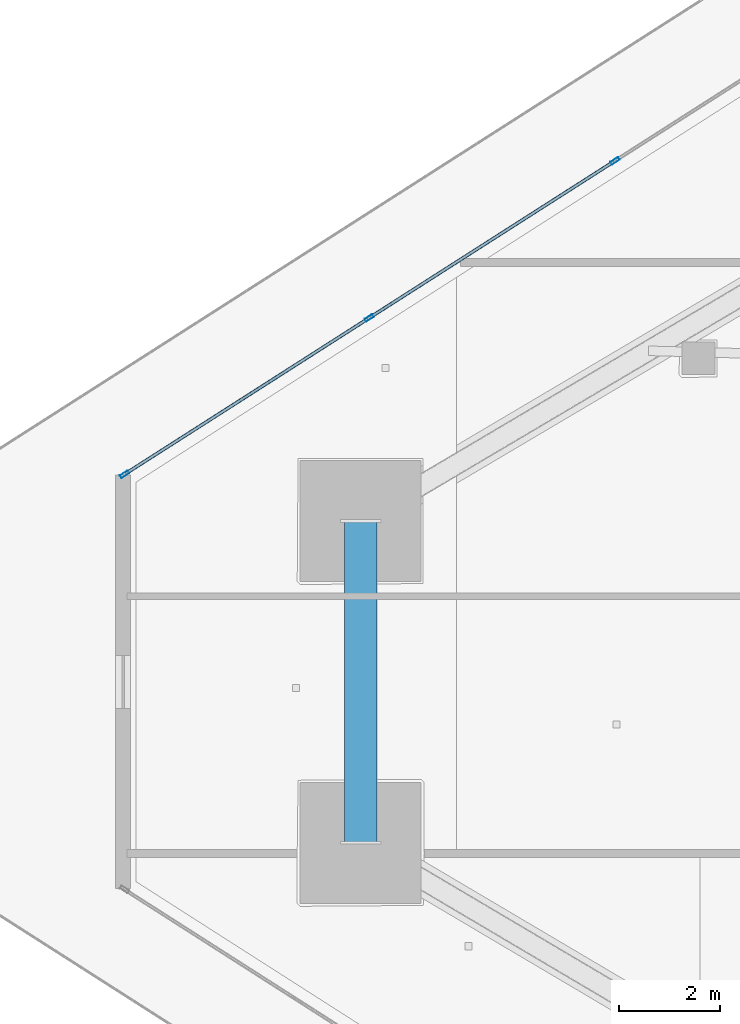
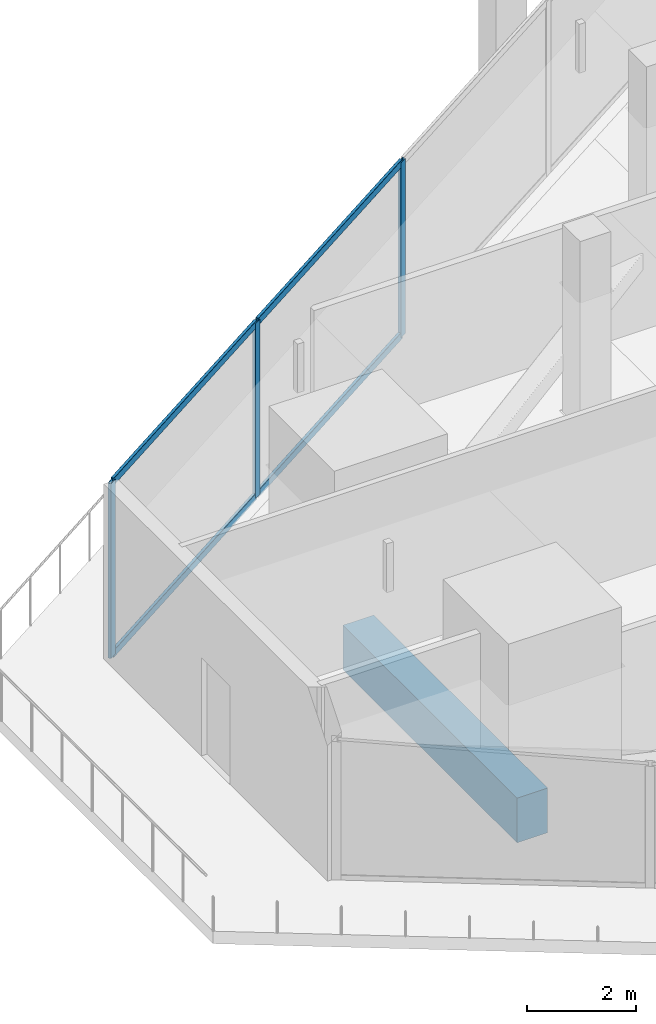
# One storey, part 16 of 52: 7 members, 1 beam, 1 element without a shape of its own.
"""IFC4 building model written with IfcOpenShell, lengths in metres."""

from ifc_helpers import new_model, si_unit, direction, frame, origin, origin_2d, place, context, subcontext, project, spatial, rectangle, hollow_rectangle, extrude, material, layer, layer_set, material_profile, profile_set, type_object, element, aggregate, save


model = new_model("IFC4")

# Units and contexts
model_context = context("Model", 3, precision=1e-05, world=origin(), true_north=direction((0.0, 1.0)))
body_context = subcontext(model_context, "Body", "Model", "MODEL_VIEW")
ifc_project = project(units=[si_unit("LENGTHUNIT", "METRE"), si_unit("AREAUNIT", "SQUARE_METRE"), si_unit("VOLUMEUNIT", "CUBIC_METRE"), si_unit("PLANEANGLEUNIT", "RADIAN"), si_unit("MASSUNIT", "GRAM", prefix="KILO")], contexts=[model_context])

# Site, building, storey
site_placement = place(None, origin())
site = spatial("IfcSite", under=ifc_project, at=site_placement, CompositionType="ELEMENT")
building_placement = place(site_placement, origin())
building = spatial("IfcBuilding", under=site, at=building_placement, Name="Qorvath Tower", CompositionType="ELEMENT")
storey_placement = place(building_placement, frame((0.0, 0.0, 61.800048828125)))
storey = spatial("IfcBuildingStorey", under=building, at=storey_placement, Name="L13", CompositionType="ELEMENT", Elevation=61.800048828125)

# Beam
ifc_material_1 = material(Name="Concrete C50/60", Category="concrete")
ifc_material_profile_1 = material_profile(ifc_material_1, rectangle(XDim=0.64990234375, YDim=1.0, at=origin_2d()), Name="RCB 1000x650")
ifc_profile_set_1 = profile_set([ifc_material_profile_1], Name="Concrete C50/60")
beam_type = type_object("IfcBeamType", Name="BM-RCB1", PredefinedType="SPANDREL", material=ifc_profile_set_1)
beam_placement = place(storey_placement, frame((-55.282958984375, 3.194580078125, -0.780029296875), z_axis=(0.0, -1.0, 0.0), x_axis=(1.0, 0.0, 0.0)))
element("IfcBeam", 1, at=beam_placement, inside=storey, type_object=beam_type, Name="Perimeter Loggia Frame Beam MC1-MC2 L13", PredefinedType="SPANDREL", context=body_context, shape_type="SweptSolid", body=[
    extrude(rectangle(XDim=0.64990234375, YDim=1.0, at=origin_2d()), origin(), (0.0, 0.0, 1.0), 6.38916015625),
])

# Curtain wall, members
ifc_material_2 = material(Name="Anodised aluminium and triple low-E glass", Category="aluminium")
ifc_layer = layer(ifc_material_2, 0.179931640625)
ifc_layer_set = layer_set([ifc_layer], Name="CW-SYS-2")
curtain_wall_type = type_object("IfcCurtainWallType", Name="CW-SYS-2", PredefinedType="NOTDEFINED", material=ifc_layer_set)
curtain_wall_placement = place(storey_placement, origin())
curtain_wall = element("IfcCurtainWall", 2, at=curtain_wall_placement, inside=storey, type_object=curtain_wall_type, Name="Curtain Wall CW-2 CW-T-L13-16.3", PredefinedType="NOTDEFINED")
ifc_material_3 = material(Name="Anodised aluminium 6063-T6", Category="aluminium")
ifc_material_profile_2 = material_profile(ifc_material_3, hollow_rectangle(XDim=0.06494140625, YDim=0.179931640625, WallThickness=0.00341796875, InnerFilletRadius=0.00341796875, OuterFilletRadius=0.007080078125, at=origin_2d()), Name="CWM 180x65")
ifc_profile_set_2 = profile_set([ifc_material_profile_2], Name="Anodised aluminium 6063-T6")
member_type_1 = type_object("IfcMemberType", Name="CWM-180", PredefinedType="MULLION", material=ifc_profile_set_2)
member_1_placement = place(storey_placement, frame((-50.233154296875, 10.344482421875, 0.0), z_axis=(0.0, 0.0, 1.0), x_axis=(0.53852960651, -0.842606588458, 0.0)))
member_1 = element("IfcMember", 3, at=member_1_placement, type_object=member_type_1, Name="CW-2 mullion 3", PredefinedType="MULLION", context=body_context, shape_type="SweptSolid", body=[
    extrude(hollow_rectangle(XDim=0.06494140625, YDim=0.179931640625, WallThickness=0.00341796875, InnerFilletRadius=0.00341796875, OuterFilletRadius=0.007080078125, at=origin_2d()), origin(), (0.0, 0.0, 1.0), 3.919921875),
])
member_2_placement = place(storey_placement, frame((-55.11572265625, 7.223876953125, 0.0), z_axis=(0.0, 0.0, 1.0), x_axis=(0.53852960651, -0.842606588458, 0.0)))
member_2 = element("IfcMember", 4, at=member_2_placement, type_object=member_type_1, Name="CW-2 mullion 4", PredefinedType="MULLION", context=body_context, shape_type="SweptSolid", body=[
    extrude(hollow_rectangle(XDim=0.06494140625, YDim=0.179931640625, WallThickness=0.00341796875, InnerFilletRadius=0.00341796875, OuterFilletRadius=0.007080078125, at=origin_2d()), origin(), (0.0, 0.0, 1.0), 3.919921875),
])
member_3_placement = place(storey_placement, frame((-59.970947265625, 4.120849609375, 0.0), z_axis=(0.0, 0.0, 1.0), x_axis=(0.53852960651, -0.842606588458, 0.0)))
member_3 = element("IfcMember", 5, at=member_3_placement, type_object=member_type_1, Name="CW-2 mullion 5", PredefinedType="MULLION", context=body_context, shape_type="SweptSolid", body=[
    extrude(hollow_rectangle(XDim=0.06494140625, YDim=0.179931640625, WallThickness=0.00341796875, InnerFilletRadius=0.00341796875, OuterFilletRadius=0.007080078125, at=origin_2d()), origin(), (0.0, 0.0, 1.0), 3.919921875),
])
ifc_material_4 = material(Name="Anodised aluminium 6063-T6", Category="aluminium")
ifc_material_profile_3 = material_profile(ifc_material_4, hollow_rectangle(XDim=0.06494140625, YDim=0.159912109375, WallThickness=0.00341796875, InnerFilletRadius=0.00341796875, OuterFilletRadius=0.007080078125, at=origin_2d()), Name="CWT 160x65")
ifc_profile_set_3 = profile_set([ifc_material_profile_3], Name="Anodised aluminium 6063-T6")
member_type_2 = type_object("IfcMemberType", Name="CWT-160", PredefinedType="USERDEFINED", material=ifc_profile_set_3)
member_4_placement = place(storey_placement, frame((-50.260498046875, 10.326904296875, 0.032470703125), z_axis=(-0.842619459237, -0.538509467805, 0.0), x_axis=(0.538509467805, -0.842619459237, 0.0)))
member_4 = element("IfcMember", 6, at=member_4_placement, type_object=member_type_2, Name="CW-2 transom 3.1", ObjectType="TRANSOM", PredefinedType="USERDEFINED", context=body_context, shape_type="SweptSolid", body=[
    extrude(hollow_rectangle(XDim=0.06494140625, YDim=0.159912109375, WallThickness=0.00341796875, InnerFilletRadius=0.00341796875, OuterFilletRadius=0.007080078125, at=origin_2d()), origin(), (0.0, 0.0, 1.0), 5.7294921875),
])
member_5_placement = place(storey_placement, frame((-50.260498046875, 10.326904296875, 3.887451171875), z_axis=(-0.842619459237, -0.538509467805, 0.0), x_axis=(0.538509467805, -0.842619459237, 0.0)))
member_5 = element("IfcMember", 7, at=member_5_placement, type_object=member_type_2, Name="CW-2 transom 3.2", ObjectType="TRANSOM", PredefinedType="USERDEFINED", context=body_context, shape_type="SweptSolid", body=[
    extrude(hollow_rectangle(XDim=0.06494140625, YDim=0.159912109375, WallThickness=0.00341796875, InnerFilletRadius=0.00341796875, OuterFilletRadius=0.007080078125, at=origin_2d()), origin(), (0.0, 0.0, 1.0), 5.7294921875),
])
member_6_placement = place(storey_placement, frame((-55.14306640625, 7.206298828125, 0.032470703125), z_axis=(-0.842608218997, -0.538527055289, 0.0), x_axis=(0.538527055289, -0.842608218997, 0.0)))
member_6 = element("IfcMember", 8, at=member_6_placement, type_object=member_type_2, Name="CW-2 transom 4.1", ObjectType="TRANSOM", PredefinedType="USERDEFINED", context=body_context, shape_type="SweptSolid", body=[
    extrude(hollow_rectangle(XDim=0.06494140625, YDim=0.159912109375, WallThickness=0.00341796875, InnerFilletRadius=0.00341796875, OuterFilletRadius=0.007080078125, at=origin_2d()), origin(), (0.0, 0.0, 1.0), 5.697265625),
])
member_7_placement = place(storey_placement, frame((-55.14306640625, 7.206298828125, 3.887451171875), z_axis=(-0.842608218997, -0.538527055289, 0.0), x_axis=(0.538527055289, -0.842608218997, 0.0)))
member_7 = element("IfcMember", 9, at=member_7_placement, type_object=member_type_2, Name="CW-2 transom 4.2", ObjectType="TRANSOM", PredefinedType="USERDEFINED", context=body_context, shape_type="SweptSolid", body=[
    extrude(hollow_rectangle(XDim=0.06494140625, YDim=0.159912109375, WallThickness=0.00341796875, InnerFilletRadius=0.00341796875, OuterFilletRadius=0.007080078125, at=origin_2d()), origin(), (0.0, 0.0, 1.0), 5.697265625),
])
aggregate(curtain_wall, [member_1, member_2, member_3, member_4, member_5, member_6, member_7])

save(model, "model.ifc")
